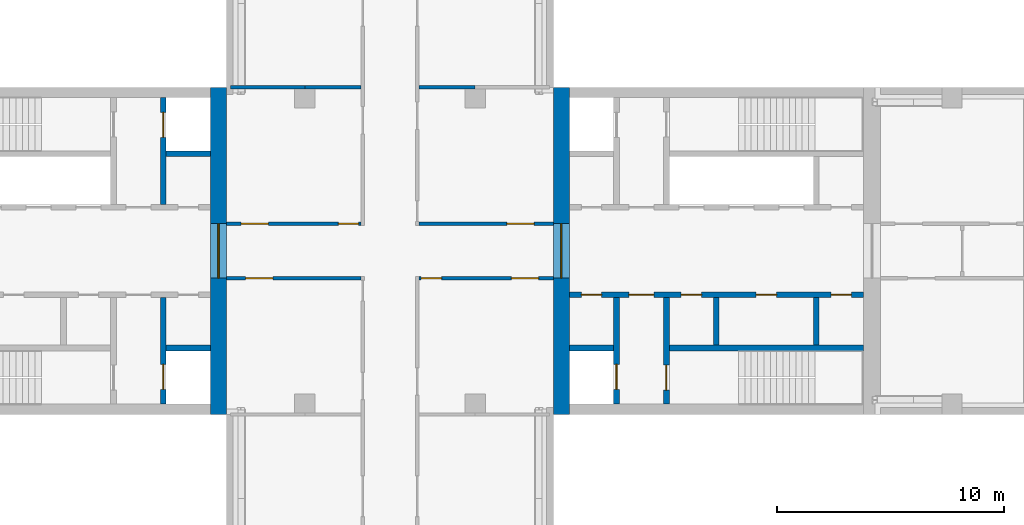
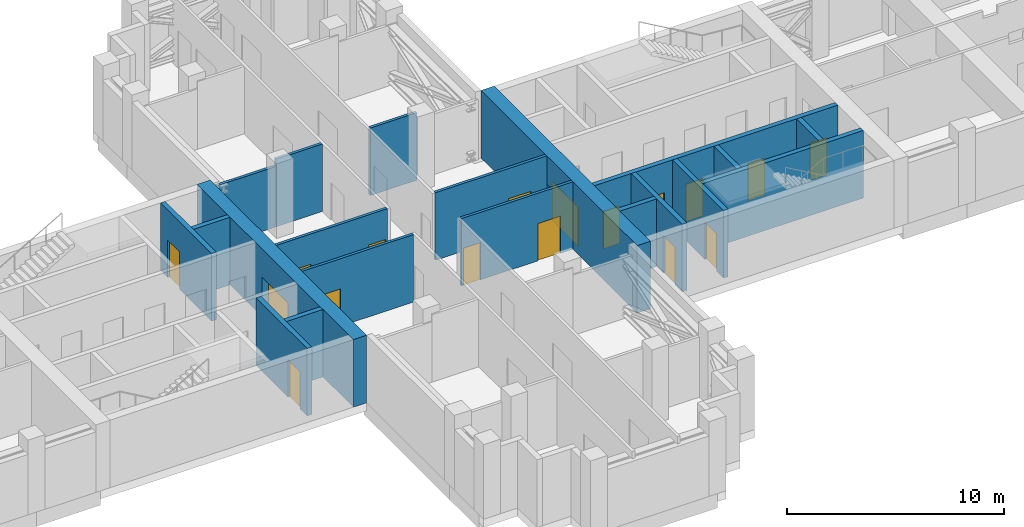
# One storey, part 5 of 9: 20 walls, 17 doors, 17 openings.
"""IFC4 building model written with IfcOpenShell, lengths in metres."""

from ifc_helpers import new_model, si_unit, direction, frame, frame_2d, origin, place, context, subcontext, project, spatial, rectangle, extrude, material, layer, layer_set, type_object, element, fill, save


model = new_model("IFC4")

# Units and contexts
model_context = context("Model", 3, precision=1e-05, world=origin(), true_north=direction((0.0, 1.0)))
body_context = subcontext(model_context, "Body", "Model", "MODEL_VIEW")
ifc_project = project(units=[si_unit("LENGTHUNIT", "METRE"), si_unit("AREAUNIT", "SQUARE_METRE"), si_unit("VOLUMEUNIT", "CUBIC_METRE"), si_unit("PLANEANGLEUNIT", "RADIAN"), si_unit("MASSUNIT", "GRAM", prefix="KILO")], contexts=[model_context])

# Site, building, storey
site_placement = place(None, origin())
site = spatial("IfcSite", under=ifc_project, at=site_placement, CompositionType="ELEMENT")
building_placement = place(site_placement, origin())
building = spatial("IfcBuilding", under=site, at=building_placement, Name="Fustian Cross Tower", CompositionType="ELEMENT")
storey_placement = place(building_placement, frame((0.0, 0.0, 162.300048828125)))
storey = spatial("IfcBuildingStorey", under=building, at=storey_placement, Name="L51", CompositionType="ELEMENT", Elevation=162.300048828125)

# Wall, opening, door
ifc_material_1 = material(Name="Plasterboard on steel stud", Category="steel")
ifc_layer_1 = layer(ifc_material_1, 0.14990234375)
ifc_layer_set_1 = layer_set([ifc_layer_1], Name="Plasterboard on steel stud")
wall_type_1 = type_object("IfcWallType", Name="COMPARTMENT WALL 150 EI 60", PredefinedType="PARTITIONING", material=ifc_layer_set_1)
wall_1_placement = place(storey_placement, frame((-7.199951171875, -1.199951171875, 0.0), z_axis=(0.0, 0.0, 1.0), x_axis=(1.0, 0.0, 0.0)))
wall_1 = element("IfcWall", 1, at=wall_1_placement, inside=storey, type_object=wall_type_1, Name="Partition 5", PredefinedType="PARTITIONING", context=body_context, shape_type="SweptSolid", body=[
    extrude(rectangle(XDim=5.925048828125, YDim=0.14990234375, at=frame_2d((2.96240234375, 0.0))), origin(), (0.0, 0.0, 1.0), 3.800048828125),
])
opening_1_placement = place(wall_1_placement, frame((0.85009765625, 0.0, 0.0)))
opening_1 = element("IfcOpeningElement", 2, at=opening_1_placement, cuts=wall_1, Name="Opening D23007", PredefinedType="OPENING", context=body_context, shape_type="SweptSolid", body=[
    extrude(rectangle(XDim=1.199951171875, YDim=2.10009765625, at=frame_2d((0.60009765625, 1.050048828125))), frame((0.0, 0.0849609375, 0.0), z_axis=(0.0, -1.0, 0.0), x_axis=(1.0, 0.0, 0.0)), (0.0, 0.0, 1.0), 0.169921875),
])
ifc_material_2 = material(Name="Timber fire door set", Category="wood")
door_type_1 = type_object("IfcDoorType", Name="FIRE SWING DOOR 1200 FD60S", OperationType="SINGLE_SWING_LEFT", PredefinedType="DOOR", material=ifc_material_2)
door_1_placement = place(opening_1_placement, origin())
door_1 = element("IfcDoor", 3, at=door_1_placement, inside=storey, type_object=door_type_1, Name="Door D23007", OperationType="SINGLE_SWING_LEFT", OverallHeight=2.10009765625, OverallWidth=1.199951171875, PredefinedType="DOOR", context=body_context, shape_type="SweptSolid", body=[
    extrude(rectangle(XDim=1.199951171875, YDim=2.10009765625, at=frame_2d((0.60009765625, 1.050048828125))), frame((0.0, 0.02490234375, 0.0), z_axis=(0.0, -1.0, 0.0), x_axis=(1.0, 0.0, 0.0)), (0.0, 0.0, 1.0), 0.050048828125),
])
fill(opening_1, door_1)

# Wall, openings, doors
wall_2_placement = place(storey_placement, frame((-7.199951171875, 1.199951171875, 0.0), z_axis=(0.0, 0.0, 1.0), x_axis=(1.0, 0.0, 0.0)))
wall_2 = element("IfcWall", 4, at=wall_2_placement, inside=storey, type_object=wall_type_1, Name="Partition 6", PredefinedType="PARTITIONING", context=body_context, shape_type="SweptSolid", body=[
    extrude(rectangle(XDim=5.925048828125, YDim=0.14990234375, at=frame_2d((2.96240234375, 0.0))), origin(), (0.0, 0.0, 1.0), 3.800048828125),
])
opening_2_placement = place(wall_2_placement, frame((0.64990234375, 0.0, 0.0)))
opening_2 = element("IfcOpeningElement", 5, at=opening_2_placement, cuts=wall_2, Name="Opening D23004", PredefinedType="OPENING", context=body_context, shape_type="SweptSolid", body=[
    extrude(rectangle(XDim=1.199951171875, YDim=2.10009765625, at=frame_2d((0.60009765625, 1.050048828125))), frame((0.0, 0.0849609375, 0.0), z_axis=(0.0, -1.0, 0.0), x_axis=(1.0, 0.0, 0.0)), (0.0, 0.0, 1.0), 0.169921875),
])
opening_3_placement = place(wall_2_placement, frame((4.925048828125, 0.0, 0.0)))
opening_3 = element("IfcOpeningElement", 6, at=opening_3_placement, cuts=wall_2, Name="Opening D23005", PredefinedType="OPENING", context=body_context, shape_type="SweptSolid", body=[
    extrude(rectangle(XDim=0.89990234375, YDim=2.10009765625, at=frame_2d((0.449951171875, 1.050048828125))), frame((0.0, 0.0849609375, 0.0), z_axis=(0.0, -1.0, 0.0), x_axis=(1.0, 0.0, 0.0)), (0.0, 0.0, 1.0), 0.169921875),
])
ifc_material_3 = material(Name="Timber fire door set", Category="wood")
door_type_2 = type_object("IfcDoorType", Name="FIRE SWING DOOR 1200 FD30S", OperationType="SINGLE_SWING_LEFT", PredefinedType="DOOR", material=ifc_material_3)
door_2_placement = place(opening_2_placement, origin())
door_2 = element("IfcDoor", 7, at=door_2_placement, inside=storey, type_object=door_type_2, Name="Door D23004", OperationType="SINGLE_SWING_LEFT", OverallHeight=2.10009765625, OverallWidth=1.199951171875, PredefinedType="DOOR", context=body_context, shape_type="SweptSolid", body=[
    extrude(rectangle(XDim=1.199951171875, YDim=2.10009765625, at=frame_2d((0.60009765625, 1.050048828125))), frame((0.0, 0.02490234375, 0.0), z_axis=(0.0, -1.0, 0.0), x_axis=(1.0, 0.0, 0.0)), (0.0, 0.0, 1.0), 0.050048828125),
])
fill(opening_2, door_2)
ifc_material_4 = material(Name="Timber fire door set", Category="wood")
door_type_3 = type_object("IfcDoorType", Name="FIRE SWING DOOR 900 FD30S", OperationType="SINGLE_SWING_LEFT", PredefinedType="DOOR", material=ifc_material_4)
door_3_placement = place(opening_3_placement, origin())
door_3 = element("IfcDoor", 8, at=door_3_placement, inside=storey, type_object=door_type_3, Name="Door D23005", OperationType="SINGLE_SWING_RIGHT", OverallHeight=2.10009765625, OverallWidth=0.89990234375, PredefinedType="DOOR", context=body_context, shape_type="SweptSolid", body=[
    extrude(rectangle(XDim=0.89990234375, YDim=2.10009765625, at=frame_2d((0.449951171875, 1.050048828125))), frame((0.0, 0.02490234375, 0.0), z_axis=(0.0, -1.0, 0.0), x_axis=(1.0, 0.0, 0.0)), (0.0, 0.0, 1.0), 0.050048828125),
])
fill(opening_3, door_3)

# Wall
wall_3_placement = place(storey_placement, frame((-7.02001953125, 7.199951171875, 0.0), z_axis=(0.0, 0.0, 1.0), x_axis=(1.0, 0.0, 0.0)))
element("IfcWall", 9, at=wall_3_placement, inside=storey, type_object=wall_type_1, Name="Partition 9", PredefinedType="PARTITIONING", context=body_context, shape_type="SweptSolid", body=[
    extrude(rectangle(XDim=3.27001953125, YDim=0.14990234375, at=frame_2d((1.635009765625, 0.0))), origin(), (0.0, 0.0, 1.0), 3.39990234375),
])

# Wall, openings, doors
wall_4_placement = place(storey_placement, frame((1.27490234375, -1.199951171875, 0.0), z_axis=(0.0, 0.0, 1.0), x_axis=(1.0, 0.0, 0.0)))
wall_4 = element("IfcWall", 10, at=wall_4_placement, inside=storey, type_object=wall_type_1, Name="Partition 16", PredefinedType="PARTITIONING", context=body_context, shape_type="SweptSolid", body=[
    extrude(rectangle(XDim=5.925048828125, YDim=0.14990234375, at=frame_2d((2.96240234375, 0.0))), origin(), (0.0, 0.0, 1.0), 3.800048828125),
])
opening_4_placement = place(wall_4_placement, frame((0.10009765625, 0.0, 0.0)))
opening_4 = element("IfcOpeningElement", 11, at=opening_4_placement, cuts=wall_4, Name="Opening D23011", PredefinedType="OPENING", context=body_context, shape_type="SweptSolid", body=[
    extrude(rectangle(XDim=0.89990234375, YDim=2.10009765625, at=frame_2d((0.449951171875, 1.050048828125))), frame((0.0, 0.0849609375, 0.0), z_axis=(0.0, -1.0, 0.0), x_axis=(1.0, 0.0, 0.0)), (0.0, 0.0, 1.0), 0.169921875),
])
opening_5_placement = place(wall_4_placement, frame((4.074951171875, 0.0, 0.0)))
opening_5 = element("IfcOpeningElement", 12, at=opening_5_placement, cuts=wall_4, Name="Opening D23012", PredefinedType="OPENING", context=body_context, shape_type="SweptSolid", body=[
    extrude(rectangle(XDim=1.199951171875, YDim=2.10009765625, at=frame_2d((0.60009765625, 1.050048828125))), frame((0.0, 0.0849609375, 0.0), z_axis=(0.0, -1.0, 0.0), x_axis=(1.0, 0.0, 0.0)), (0.0, 0.0, 1.0), 0.169921875),
])
door_4_placement = place(opening_5_placement, frame((1.199951171875, 0.0, 0.0), z_axis=(0.0, 0.0, 1.0), x_axis=(-1.0, 0.0, 0.0)))
door_4 = element("IfcDoor", 13, at=door_4_placement, inside=storey, type_object=door_type_1, Name="Door D23012", OperationType="SINGLE_SWING_LEFT", OverallHeight=2.10009765625, OverallWidth=1.199951171875, PredefinedType="DOOR", context=body_context, shape_type="SweptSolid", body=[
    extrude(rectangle(XDim=1.199951171875, YDim=2.10009765625, at=frame_2d((0.60009765625, 1.050048828125))), frame((0.0, 0.02490234375, 0.0), z_axis=(0.0, -1.0, 0.0), x_axis=(1.0, 0.0, 0.0)), (0.0, 0.0, 1.0), 0.050048828125),
])
fill(opening_5, door_4)
door_5_placement = place(opening_4_placement, origin())
door_5 = element("IfcDoor", 14, at=door_5_placement, inside=storey, type_object=door_type_3, Name="Door D23011", OperationType="SINGLE_SWING_RIGHT", OverallHeight=2.10009765625, OverallWidth=0.89990234375, PredefinedType="DOOR", context=body_context, shape_type="SweptSolid", body=[
    extrude(rectangle(XDim=0.89990234375, YDim=2.10009765625, at=frame_2d((0.449951171875, 1.050048828125))), frame((0.0, 0.02490234375, 0.0), z_axis=(0.0, -1.0, 0.0), x_axis=(1.0, 0.0, 0.0)), (0.0, 0.0, 1.0), 0.050048828125),
])
fill(opening_4, door_5)

# Wall, opening, door
wall_5_placement = place(storey_placement, frame((1.27490234375, 1.199951171875, 0.0), z_axis=(0.0, 0.0, 1.0), x_axis=(1.0, 0.0, 0.0)))
wall_5 = element("IfcWall", 15, at=wall_5_placement, inside=storey, type_object=wall_type_1, Name="Partition 18", PredefinedType="PARTITIONING", context=body_context, shape_type="SweptSolid", body=[
    extrude(rectangle(XDim=5.925048828125, YDim=0.14990234375, at=frame_2d((2.96240234375, 0.0))), origin(), (0.0, 0.0, 1.0), 3.800048828125),
])
opening_6_placement = place(wall_5_placement, frame((3.875, 0.0, 0.0)))
opening_6 = element("IfcOpeningElement", 16, at=opening_6_placement, cuts=wall_5, Name="Opening D23003", PredefinedType="OPENING", context=body_context, shape_type="SweptSolid", body=[
    extrude(rectangle(XDim=1.199951171875, YDim=2.10009765625, at=frame_2d((0.60009765625, 1.050048828125))), frame((0.0, 0.0849609375, 0.0), z_axis=(0.0, -1.0, 0.0), x_axis=(1.0, 0.0, 0.0)), (0.0, 0.0, 1.0), 0.169921875),
])
door_6_placement = place(opening_6_placement, frame((1.199951171875, 0.0, 0.0), z_axis=(0.0, 0.0, 1.0), x_axis=(-1.0, 0.0, 0.0)))
door_6 = element("IfcDoor", 17, at=door_6_placement, inside=storey, type_object=door_type_1, Name="Door D23003", OperationType="SINGLE_SWING_LEFT", OverallHeight=2.10009765625, OverallWidth=1.199951171875, PredefinedType="DOOR", context=body_context, shape_type="SweptSolid", body=[
    extrude(rectangle(XDim=1.199951171875, YDim=2.10009765625, at=frame_2d((0.60009765625, 1.050048828125))), frame((0.0, 0.02490234375, 0.0), z_axis=(0.0, -1.0, 0.0), x_axis=(1.0, 0.0, 0.0)), (0.0, 0.0, 1.0), 0.050048828125),
])
fill(opening_6, door_6)

# Walls
for number, where, z_axis, x_axis, name in (
    (18, (1.27490234375, 7.199951171875, 0.0), (0.0, 0.0, 1.0), (1.0, 0.0, 0.0), "Partition 19"),
    (19, (-3.75, 7.199951171875, 0.0), (0.0, 0.0, 1.0), (1.0, 0.0, 0.0), "Partition 9"),
):
    element("IfcWall", number, at=place(storey_placement, frame(where, z_axis=z_axis, x_axis=x_axis)), inside=storey, type_object=wall_type_1, Name=name, PredefinedType="PARTITIONING", context=body_context, shape_type="SweptSolid", body=[
        extrude(rectangle(XDim=2.47509765625, YDim=0.14990234375, at=frame_2d((1.237548828125, 0.0))), origin(), (0.0, 0.0, 1.0), 3.800048828125),
    ])

# Wall, opening, door
ifc_material_5 = material(Name="Concrete C60/75", Category="concrete")
ifc_layer_2 = layer(ifc_material_5, 0.699951171875)
ifc_layer_set_2 = layer_set([ifc_layer_2], Name="Concrete C60/75")
wall_type_2 = type_object("IfcWallType", Name="CORE END WALL 700 C60/75", PredefinedType="SHEAR", material=ifc_layer_set_2)
wall_6_placement = place(storey_placement, frame((7.550048828125, -7.199951171875, 0.0), z_axis=(0.0, 0.0, 1.0), x_axis=(0.0, 1.0, 0.0)))
wall_6 = element("IfcWall", 20, at=wall_6_placement, inside=storey, type_object=wall_type_2, Name="Core end wall", PredefinedType="SHEAR", context=body_context, shape_type="SweptSolid", body=[
    extrude(rectangle(XDim=14.39990234375, YDim=0.699951171875, at=frame_2d((7.199951171875, 0.0))), origin(), (0.0, 0.0, 1.0), 3.800048828125),
])
opening_7_placement = place(wall_6_placement, frame((6.0, 0.0, 0.0)))
opening_7 = element("IfcOpeningElement", 21, at=opening_7_placement, cuts=wall_6, Name="Opening CD-20-12", PredefinedType="OPENING", context=body_context, shape_type="SweptSolid", body=[
    extrude(rectangle(XDim=2.39990234375, YDim=2.199951171875, at=frame_2d((1.199951171875, 1.10009765625))), frame((0.0, 0.35986328125, 0.0), z_axis=(0.0, -1.0, 0.0), x_axis=(1.0, 0.0, 0.0)), (0.0, 0.0, 1.0), 0.719970703125),
])
ifc_material_6 = material(Name="Steel", Category="steel")
door_type_4 = type_object("IfcDoorType", Name="FIRE DOOR FD30S DOUBLE 2400X2200", OperationType="DOUBLE_DOOR_DOUBLE_SWING", PredefinedType="DOOR", material=ifc_material_6)
door_7_placement = place(opening_7_placement, frame((2.39990234375, 0.0, 0.0), z_axis=(0.0, 0.0, 1.0), x_axis=(-1.0, 0.0, 0.0)))
door_7 = element("IfcDoor", 22, at=door_7_placement, inside=storey, type_object=door_type_4, Name="Core door CD-20-12", OperationType="DOUBLE_DOOR_DOUBLE_SWING", OverallHeight=2.199951171875, OverallWidth=2.39990234375, PredefinedType="DOOR", context=body_context, shape_type="SweptSolid", body=[
    extrude(rectangle(XDim=2.39990234375, YDim=2.199951171875, at=frame_2d((1.199951171875, 1.10009765625))), frame((0.0, 0.02490234375, 0.0), z_axis=(0.0, -1.0, 0.0), x_axis=(1.0, 0.0, 0.0)), (0.0, 0.0, 1.0), 0.050048828125),
])
fill(opening_7, door_7)

wall_7_placement = place(storey_placement, frame((-7.550048828125, -7.199951171875, 0.0), z_axis=(0.0, 0.0, 1.0), x_axis=(0.0, 1.0, 0.0)))
wall_7 = element("IfcWall", 23, at=wall_7_placement, inside=storey, type_object=wall_type_2, Name="Core end wall", PredefinedType="SHEAR", context=body_context, shape_type="SweptSolid", body=[
    extrude(rectangle(XDim=14.39990234375, YDim=0.699951171875, at=frame_2d((7.199951171875, 0.0))), origin(), (0.0, 0.0, 1.0), 3.800048828125),
])
opening_8_placement = place(wall_7_placement, frame((6.0, 0.0, 0.0)))
opening_8 = element("IfcOpeningElement", 24, at=opening_8_placement, cuts=wall_7, Name="Opening CD-20-29", PredefinedType="OPENING", context=body_context, shape_type="SweptSolid", body=[
    extrude(rectangle(XDim=2.39990234375, YDim=2.199951171875, at=frame_2d((1.199951171875, 1.10009765625))), frame((0.0, 0.35986328125, 0.0), z_axis=(0.0, -1.0, 0.0), x_axis=(1.0, 0.0, 0.0)), (0.0, 0.0, 1.0), 0.719970703125),
])
door_8_placement = place(opening_8_placement, origin())
door_8 = element("IfcDoor", 25, at=door_8_placement, inside=storey, type_object=door_type_4, Name="Core door CD-20-29", OperationType="DOUBLE_DOOR_DOUBLE_SWING", OverallHeight=2.199951171875, OverallWidth=2.39990234375, PredefinedType="DOOR", context=body_context, shape_type="SweptSolid", body=[
    extrude(rectangle(XDim=2.39990234375, YDim=2.199951171875, at=frame_2d((1.199951171875, 1.10009765625))), frame((0.0, 0.02490234375, 0.0), z_axis=(0.0, -1.0, 0.0), x_axis=(1.0, 0.0, 0.0)), (0.0, 0.0, 1.0), 0.050048828125),
])
fill(opening_8, door_8)

# Wall, openings, doors
ifc_material_7 = material(Name="Concrete C50/60", Category="concrete")
ifc_layer_3 = layer(ifc_material_7, 0.25)
ifc_layer_set_3 = layer_set([ifc_layer_3], Name="Concrete C50/60")
wall_type_3 = type_object("IfcWallType", Name="CORE LOBBY WALL 250 C50/60", PredefinedType="SHEAR", material=ifc_layer_set_3)
wall_8_placement = place(storey_placement, frame((7.89990234375, -1.925048828125, 0.0), z_axis=(0.0, 0.0, 1.0), x_axis=(1.0, 0.0, 0.0)))
wall_8 = element("IfcWall", 26, at=wall_8_placement, inside=storey, type_object=wall_type_3, Name="Core lobby wall", PredefinedType="SHEAR", context=body_context, shape_type="SweptSolid", body=[
    extrude(rectangle(XDim=12.9501953125, YDim=0.25, at=frame_2d((6.47509765625, 0.0))), origin(), (0.0, 0.0, 1.0), 3.800048828125),
])
opening_9_placement = place(wall_8_placement, frame((0.52490234375, 0.0, 0.0)))
opening_9 = element("IfcOpeningElement", 27, at=opening_9_placement, cuts=wall_8, Name="Opening CD-20-09", PredefinedType="OPENING", context=body_context, shape_type="SweptSolid", body=[
    extrude(rectangle(XDim=0.89990234375, YDim=2.10009765625, at=frame_2d((0.449951171875, 1.050048828125))), frame((0.0, 0.135009765625, 0.0), z_axis=(0.0, -1.0, 0.0), x_axis=(1.0, 0.0, 0.0)), (0.0, 0.0, 1.0), 0.27001953125),
])
opening_10_placement = place(wall_8_placement, frame((2.625, 0.0, 0.0)))
opening_10 = element("IfcOpeningElement", 28, at=opening_10_placement, cuts=wall_8, Name="Opening CD-20-11", PredefinedType="OPENING", context=body_context, shape_type="SweptSolid", body=[
    extrude(rectangle(XDim=1.10009765625, YDim=2.10009765625, at=frame_2d((0.550048828125, 1.050048828125))), frame((0.0, 0.135009765625, 0.0), z_axis=(0.0, -1.0, 0.0), x_axis=(1.0, 0.0, 0.0)), (0.0, 0.0, 1.0), 0.27001953125),
])
opening_11_placement = place(wall_8_placement, frame((4.925048828125, 0.0, 0.0)))
opening_11 = element("IfcOpeningElement", 29, at=opening_11_placement, cuts=wall_8, Name="Opening CD-20-15", PredefinedType="OPENING", context=body_context, shape_type="SweptSolid", body=[
    extrude(rectangle(XDim=0.89990234375, YDim=2.10009765625, at=frame_2d((0.449951171875, 1.050048828125))), frame((0.0, 0.135009765625, 0.0), z_axis=(0.0, -1.0, 0.0), x_axis=(1.0, 0.0, 0.0)), (0.0, 0.0, 1.0), 0.27001953125),
])
opening_12_placement = place(wall_8_placement, frame((8.22509765625, 0.0, 0.0)))
opening_12 = element("IfcOpeningElement", 30, at=opening_12_placement, cuts=wall_8, Name="Opening CD-20-16", PredefinedType="OPENING", context=body_context, shape_type="SweptSolid", body=[
    extrude(rectangle(XDim=0.89990234375, YDim=2.10009765625, at=frame_2d((0.449951171875, 1.050048828125))), frame((0.0, 0.135009765625, 0.0), z_axis=(0.0, -1.0, 0.0), x_axis=(1.0, 0.0, 0.0)), (0.0, 0.0, 1.0), 0.27001953125),
])
opening_13_placement = place(wall_8_placement, frame((11.52490234375, 0.0, 0.0)))
opening_13 = element("IfcOpeningElement", 31, at=opening_13_placement, cuts=wall_8, Name="Opening CD-20-17", PredefinedType="OPENING", context=body_context, shape_type="SweptSolid", body=[
    extrude(rectangle(XDim=0.89990234375, YDim=2.10009765625, at=frame_2d((0.449951171875, 1.050048828125))), frame((0.0, 0.135009765625, 0.0), z_axis=(0.0, -1.0, 0.0), x_axis=(1.0, 0.0, 0.0)), (0.0, 0.0, 1.0), 0.27001953125),
])
ifc_material_8 = material(Name="Steel", Category="steel")
door_type_5 = type_object("IfcDoorType", Name="FIRE DOOR FD30S 1100X2100", OperationType="SINGLE_SWING_LEFT", PredefinedType="DOOR", material=ifc_material_8)
door_9_placement = place(opening_10_placement, frame((1.10009765625, 0.0, 0.0), z_axis=(0.0, 0.0, 1.0), x_axis=(-1.0, 0.0, 0.0)))
door_9 = element("IfcDoor", 32, at=door_9_placement, inside=storey, type_object=door_type_5, Name="Core door CD-20-11", OperationType="SINGLE_SWING_RIGHT", OverallHeight=2.10009765625, OverallWidth=1.10009765625, PredefinedType="DOOR", context=body_context, shape_type="SweptSolid", body=[
    extrude(rectangle(XDim=1.10009765625, YDim=2.10009765625, at=frame_2d((0.550048828125, 1.050048828125))), frame((0.0, 0.02490234375, 0.0), z_axis=(0.0, -1.0, 0.0), x_axis=(1.0, 0.0, 0.0)), (0.0, 0.0, 1.0), 0.050048828125),
])
fill(opening_10, door_9)
ifc_material_9 = material(Name="Steel", Category="steel")
door_type_6 = type_object("IfcDoorType", Name="FIRE DOOR FD30S 900X2100", OperationType="SINGLE_SWING_LEFT", PredefinedType="DOOR", material=ifc_material_9)
door_10_placement = place(opening_9_placement, frame((0.89990234375, 0.0, 0.0), z_axis=(0.0, 0.0, 1.0), x_axis=(-1.0, 0.0, 0.0)))
door_10 = element("IfcDoor", 33, at=door_10_placement, inside=storey, type_object=door_type_6, Name="Core door CD-20-09", OperationType="SINGLE_SWING_RIGHT", OverallHeight=2.10009765625, OverallWidth=0.89990234375, PredefinedType="DOOR", context=body_context, shape_type="SweptSolid", body=[
    extrude(rectangle(XDim=0.89990234375, YDim=2.10009765625, at=frame_2d((0.449951171875, 1.050048828125))), frame((0.0, 0.02490234375, 0.0), z_axis=(0.0, -1.0, 0.0), x_axis=(1.0, 0.0, 0.0)), (0.0, 0.0, 1.0), 0.050048828125),
])
fill(opening_9, door_10)
door_11_placement = place(opening_11_placement, frame((0.89990234375, 0.0, 0.0), z_axis=(0.0, 0.0, 1.0), x_axis=(-1.0, 0.0, 0.0)))
door_11 = element("IfcDoor", 34, at=door_11_placement, inside=storey, type_object=door_type_6, Name="Core door CD-20-15", OperationType="SINGLE_SWING_RIGHT", OverallHeight=2.10009765625, OverallWidth=0.89990234375, PredefinedType="DOOR", context=body_context, shape_type="SweptSolid", body=[
    extrude(rectangle(XDim=0.89990234375, YDim=2.10009765625, at=frame_2d((0.449951171875, 1.050048828125))), frame((0.0, 0.02490234375, 0.0), z_axis=(0.0, -1.0, 0.0), x_axis=(1.0, 0.0, 0.0)), (0.0, 0.0, 1.0), 0.050048828125),
])
fill(opening_11, door_11)
door_12_placement = place(opening_12_placement, frame((0.89990234375, 0.0, 0.0), z_axis=(0.0, 0.0, 1.0), x_axis=(-1.0, 0.0, 0.0)))
door_12 = element("IfcDoor", 35, at=door_12_placement, inside=storey, type_object=door_type_6, Name="Core door CD-20-16", OperationType="SINGLE_SWING_LEFT", OverallHeight=2.10009765625, OverallWidth=0.89990234375, PredefinedType="DOOR", context=body_context, shape_type="SweptSolid", body=[
    extrude(rectangle(XDim=0.89990234375, YDim=2.10009765625, at=frame_2d((0.449951171875, 1.050048828125))), frame((0.0, 0.02490234375, 0.0), z_axis=(0.0, -1.0, 0.0), x_axis=(1.0, 0.0, 0.0)), (0.0, 0.0, 1.0), 0.050048828125),
])
fill(opening_12, door_12)
door_13_placement = place(opening_13_placement, frame((0.89990234375, 0.0, 0.0), z_axis=(0.0, 0.0, 1.0), x_axis=(-1.0, 0.0, 0.0)))
door_13 = element("IfcDoor", 36, at=door_13_placement, inside=storey, type_object=door_type_6, Name="Core door CD-20-17", OperationType="SINGLE_SWING_RIGHT", OverallHeight=2.10009765625, OverallWidth=0.89990234375, PredefinedType="DOOR", context=body_context, shape_type="SweptSolid", body=[
    extrude(rectangle(XDim=0.89990234375, YDim=2.10009765625, at=frame_2d((0.449951171875, 1.050048828125))), frame((0.0, 0.02490234375, 0.0), z_axis=(0.0, -1.0, 0.0), x_axis=(1.0, 0.0, 0.0)), (0.0, 0.0, 1.0), 0.050048828125),
])
fill(opening_13, door_13)

# Walls
ifc_material_10 = material(Name="Concrete C50/60", Category="concrete")
ifc_layer_4 = layer(ifc_material_10, 0.25)
ifc_layer_set_4 = layer_set([ifc_layer_4], Name="Concrete C50/60")
wall_type_4 = type_object("IfcWallType", Name="CORE SHAFT WALL 250 C50/60", PredefinedType="SHEAR", material=ifc_layer_set_4)
wall_9_placement = place(storey_placement, frame((7.89990234375, -4.27490234375, 0.0), z_axis=(0.0, 0.0, 1.0), x_axis=(1.0, 0.0, 0.0)))
element("IfcWall", 37, at=wall_9_placement, inside=storey, type_object=wall_type_4, Name="Core shaft wall", PredefinedType="SHEAR", context=body_context, shape_type="SweptSolid", body=[
    extrude(rectangle(XDim=1.9501953125, YDim=0.25, at=frame_2d((0.97509765625, 0.0))), origin(), (0.0, 0.0, 1.0), 3.800048828125),
])
wall_10_placement = place(storey_placement, frame((12.300048828125, -4.27490234375, 0.0), z_axis=(0.0, 0.0, 1.0), x_axis=(1.0, 0.0, 0.0)))
element("IfcWall", 38, at=wall_10_placement, inside=storey, type_object=wall_type_4, Name="Core shaft wall", PredefinedType="SHEAR", context=body_context, shape_type="SweptSolid", body=[
    extrude(rectangle(XDim=8.550048828125, YDim=0.25, at=frame_2d((4.27490234375, 0.0))), origin(), (0.0, 0.0, 1.0), 3.800048828125),
])

# Wall, opening, door
wall_11_placement = place(storey_placement, frame((9.97509765625, -2.050048828125, 0.0), z_axis=(0.0, 0.0, 1.0), x_axis=(0.0, -1.0, 0.0)))
wall_11 = element("IfcWall", 39, at=wall_11_placement, inside=storey, type_object=wall_type_4, Name="Core shaft wall", PredefinedType="SHEAR", context=body_context, shape_type="SweptSolid", body=[
    extrude(rectangle(XDim=4.699951171875, YDim=0.25, at=frame_2d((2.35009765625, 0.0))), origin(), (0.0, 0.0, 1.0), 3.800048828125),
])
opening_14_placement = place(wall_11_placement, frame((2.949951171875, 0.0, 0.0)))
opening_14 = element("IfcOpeningElement", 40, at=opening_14_placement, cuts=wall_11, Name="Opening LD", PredefinedType="OPENING", context=body_context, shape_type="SweptSolid", body=[
    extrude(rectangle(XDim=1.10009765625, YDim=2.10009765625, at=frame_2d((0.550048828125, 1.050048828125))), frame((0.0, 0.135009765625, 0.0), z_axis=(0.0, -1.0, 0.0), x_axis=(1.0, 0.0, 0.0)), (0.0, 0.0, 1.0), 0.27001953125),
])
ifc_material_11 = material(Name="Stainless steel", Category="steel")
door_type_7 = type_object("IfcDoorType", Name="LIFT LANDING DOOR 1100X2100", OperationType="SLIDING_TO_LEFT", PredefinedType="DOOR", material=ifc_material_11)
door_14_placement = place(opening_14_placement, origin())
door_14 = element("IfcDoor", 41, at=door_14_placement, inside=storey, type_object=door_type_7, Name="Landing door SV1", OperationType="SLIDING_TO_LEFT", OverallHeight=2.10009765625, OverallWidth=1.10009765625, PredefinedType="DOOR", context=body_context, shape_type="SweptSolid", body=[
    extrude(rectangle(XDim=1.10009765625, YDim=2.10009765625, at=frame_2d((0.550048828125, 1.050048828125))), frame((0.0, 0.02490234375, 0.0), z_axis=(0.0, -1.0, 0.0), x_axis=(1.0, 0.0, 0.0)), (0.0, 0.0, 1.0), 0.050048828125),
])
fill(opening_14, door_14)

wall_12_placement = place(storey_placement, frame((12.175048828125, -2.050048828125, 0.0), z_axis=(0.0, 0.0, 1.0), x_axis=(0.0, -1.0, 0.0)))
wall_12 = element("IfcWall", 42, at=wall_12_placement, inside=storey, type_object=wall_type_4, Name="Core shaft wall", PredefinedType="SHEAR", context=body_context, shape_type="SweptSolid", body=[
    extrude(rectangle(XDim=4.699951171875, YDim=0.25, at=frame_2d((2.35009765625, 0.0))), origin(), (0.0, 0.0, 1.0), 3.800048828125),
])
opening_15_placement = place(wall_12_placement, frame((2.97509765625, 0.0, 0.0)))
opening_15 = element("IfcOpeningElement", 43, at=opening_15_placement, cuts=wall_12, Name="Opening CD-20-07", PredefinedType="OPENING", context=body_context, shape_type="SweptSolid", body=[
    extrude(rectangle(XDim=1.10009765625, YDim=2.10009765625, at=frame_2d((0.550048828125, 1.050048828125))), frame((0.0, 0.135009765625, 0.0), z_axis=(0.0, -1.0, 0.0), x_axis=(1.0, 0.0, 0.0)), (0.0, 0.0, 1.0), 0.27001953125),
])
ifc_material_12 = material(Name="Steel", Category="steel")
door_type_8 = type_object("IfcDoorType", Name="FIRE DOOR FD60S 1100X2100", OperationType="SINGLE_SWING_LEFT", PredefinedType="DOOR", material=ifc_material_12)
door_15_placement = place(opening_15_placement, origin())
door_15 = element("IfcDoor", 44, at=door_15_placement, inside=storey, type_object=door_type_8, Name="Core door CD-20-07", OperationType="SINGLE_SWING_LEFT", OverallHeight=2.10009765625, OverallWidth=1.10009765625, PredefinedType="DOOR", context=body_context, shape_type="SweptSolid", body=[
    extrude(rectangle(XDim=1.10009765625, YDim=2.10009765625, at=frame_2d((0.550048828125, 1.050048828125))), frame((0.0, 0.02490234375, 0.0), z_axis=(0.0, -1.0, 0.0), x_axis=(1.0, 0.0, 0.0)), (0.0, 0.0, 1.0), 0.050048828125),
])
fill(opening_15, door_15)

# Wall
wall_13_placement = place(storey_placement, frame((-7.89990234375, 4.27490234375, 0.0), z_axis=(0.0, 0.0, 1.0), x_axis=(-1.0, 0.0, 0.0)))
element("IfcWall", 45, at=wall_13_placement, inside=storey, type_object=wall_type_4, Name="Core shaft wall", PredefinedType="SHEAR", context=body_context, shape_type="SweptSolid", body=[
    extrude(rectangle(XDim=1.9501953125, YDim=0.25, at=frame_2d((0.97509765625, 0.0))), origin(), (0.0, 0.0, 1.0), 3.800048828125),
])

# Wall, opening, door
wall_14_placement = place(storey_placement, frame((-9.97509765625, 2.050048828125, 0.0), z_axis=(0.0, 0.0, 1.0), x_axis=(0.0, 1.0, 0.0)))
wall_14 = element("IfcWall", 46, at=wall_14_placement, inside=storey, type_object=wall_type_4, Name="Core shaft wall", PredefinedType="SHEAR", context=body_context, shape_type="SweptSolid", body=[
    extrude(rectangle(XDim=4.699951171875, YDim=0.25, at=frame_2d((2.35009765625, 0.0))), origin(), (0.0, 0.0, 1.0), 3.800048828125),
])
opening_16_placement = place(wall_14_placement, frame((2.949951171875, 0.0, 0.0)))
opening_16 = element("IfcOpeningElement", 47, at=opening_16_placement, cuts=wall_14, Name="Opening LD", PredefinedType="OPENING", context=body_context, shape_type="SweptSolid", body=[
    extrude(rectangle(XDim=1.10009765625, YDim=2.10009765625, at=frame_2d((0.550048828125, 1.050048828125))), frame((0.0, 0.135009765625, 0.0), z_axis=(0.0, -1.0, 0.0), x_axis=(1.0, 0.0, 0.0)), (0.0, 0.0, 1.0), 0.27001953125),
])
door_16_placement = place(opening_16_placement, origin())
door_16 = element("IfcDoor", 48, at=door_16_placement, inside=storey, type_object=door_type_7, Name="Landing door FL1W", OperationType="SLIDING_TO_LEFT", OverallHeight=2.10009765625, OverallWidth=1.10009765625, PredefinedType="DOOR", context=body_context, shape_type="SweptSolid", body=[
    extrude(rectangle(XDim=1.10009765625, YDim=2.10009765625, at=frame_2d((0.550048828125, 1.050048828125))), frame((0.0, 0.02490234375, 0.0), z_axis=(0.0, -1.0, 0.0), x_axis=(1.0, 0.0, 0.0)), (0.0, 0.0, 1.0), 0.050048828125),
])
fill(opening_16, door_16)

# Wall
wall_15_placement = place(storey_placement, frame((-7.89990234375, -4.27490234375, 0.0), z_axis=(0.0, 0.0, 1.0), x_axis=(-1.0, 0.0, 0.0)))
element("IfcWall", 49, at=wall_15_placement, inside=storey, type_object=wall_type_4, Name="Core shaft wall", PredefinedType="SHEAR", context=body_context, shape_type="SweptSolid", body=[
    extrude(rectangle(XDim=1.9501953125, YDim=0.25, at=frame_2d((0.97509765625, 0.0))), origin(), (0.0, 0.0, 1.0), 3.800048828125),
])

# Wall, opening, door
wall_16_placement = place(storey_placement, frame((-9.97509765625, -2.050048828125, 0.0), z_axis=(0.0, 0.0, 1.0), x_axis=(0.0, -1.0, 0.0)))
wall_16 = element("IfcWall", 50, at=wall_16_placement, inside=storey, type_object=wall_type_4, Name="Core shaft wall", PredefinedType="SHEAR", context=body_context, shape_type="SweptSolid", body=[
    extrude(rectangle(XDim=4.699951171875, YDim=0.25, at=frame_2d((2.35009765625, 0.0))), origin(), (0.0, 0.0, 1.0), 3.800048828125),
])
opening_17_placement = place(wall_16_placement, frame((2.949951171875, 0.0, 0.0)))
opening_17 = element("IfcOpeningElement", 51, at=opening_17_placement, cuts=wall_16, Name="Opening LD", PredefinedType="OPENING", context=body_context, shape_type="SweptSolid", body=[
    extrude(rectangle(XDim=1.10009765625, YDim=2.10009765625, at=frame_2d((0.550048828125, 1.050048828125))), frame((0.0, 0.135009765625, 0.0), z_axis=(0.0, -1.0, 0.0), x_axis=(1.0, 0.0, 0.0)), (0.0, 0.0, 1.0), 0.27001953125),
])
door_17_placement = place(opening_17_placement, origin())
door_17 = element("IfcDoor", 52, at=door_17_placement, inside=storey, type_object=door_type_7, Name="Landing door SV1W", OperationType="SLIDING_TO_LEFT", OverallHeight=2.10009765625, OverallWidth=1.10009765625, PredefinedType="DOOR", context=body_context, shape_type="SweptSolid", body=[
    extrude(rectangle(XDim=1.10009765625, YDim=2.10009765625, at=frame_2d((0.550048828125, 1.050048828125))), frame((0.0, 0.02490234375, 0.0), z_axis=(0.0, -1.0, 0.0), x_axis=(1.0, 0.0, 0.0)), (0.0, 0.0, 1.0), 0.050048828125),
])
fill(opening_17, door_17)

# Walls
ifc_material_13 = material(Name="Concrete C40/50", Category="concrete")
ifc_layer_5 = layer(ifc_material_13, 0.25)
ifc_layer_set_5 = layer_set([ifc_layer_5], Name="Concrete C40/50")
wall_type_5 = type_object("IfcWallType", Name="SHAFT PARTITION WALL 250 C40/50", PredefinedType="PARTITIONING", material=ifc_layer_set_5)
for number, where, z_axis, x_axis, name in (
    (53, (14.375, -2.050048828125, 0.0), (0.0, 0.0, 1.0), (0.0, -1.0, 0.0), "Core shaft wall"),
    (54, (18.77490234375, -2.050048828125, 0.0), (0.0, 0.0, 1.0), (0.0, -1.0, 0.0), "Core shaft wall"),
):
    element("IfcWall", number, at=place(storey_placement, frame(where, z_axis=z_axis, x_axis=x_axis)), inside=storey, type_object=wall_type_5, Name=name, PredefinedType="PARTITIONING", context=body_context, shape_type="SweptSolid", body=[
        extrude(rectangle(XDim=2.099853515625, YDim=0.25, at=frame_2d((1.0498046875, 0.0))), origin(), (0.0, 0.0, 1.0), 3.800048828125),
    ])

save(model, "model.ifc")
